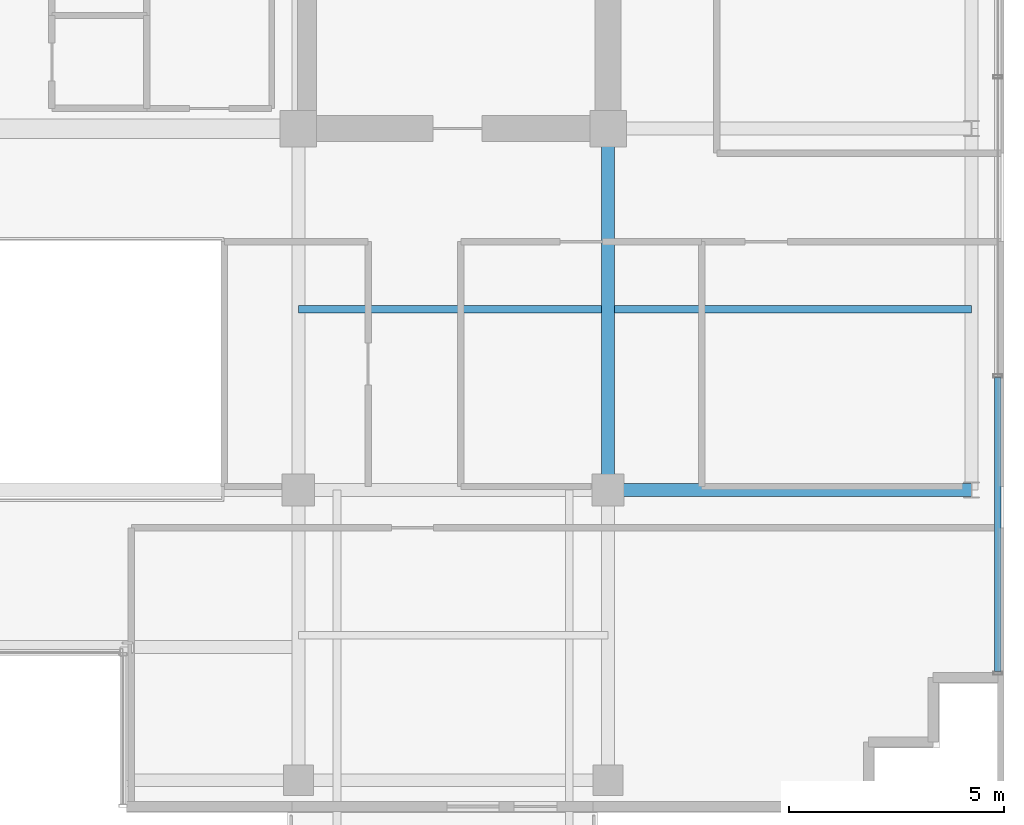
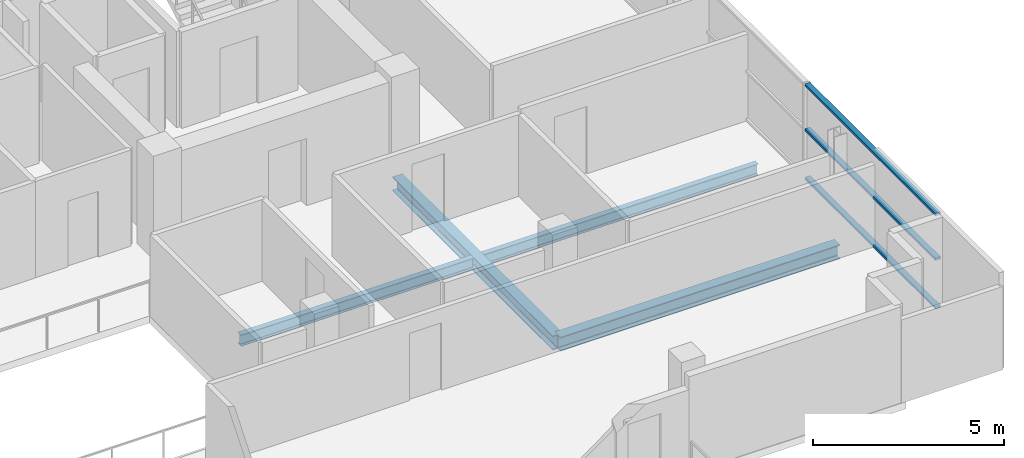
# One storey, part 8 of 21: 4 beams, 3 members, 1 element without a shape of its own.
"""IFC4 building model written with IfcOpenShell, lengths in metres."""

import ifcopenshell
import ifcopenshell.guid

model = None  # the IFC model being written
_history = None  # IfcOwnerHistory: only IFC2X3 demands one
_inside = {}  # id of a spatial element -> (the spatial element, [elements in it])
_under = {}  # id of a project, library or spatial element -> (it, [spatial elements below it])
_declared = {}  # id of a project -> (the project, [libraries it declares])
_typed = {}  # id of a type object -> (the type object, [elements of that type])
_made_of = {}  # id of a material, layer set ... -> (it, [elements and type objects made of it])


def new_model(schema):
    """Start an empty IFC model of exactly this schema.

    Asked for "IFC4X3", IfcOpenShell would pick the latest addendum, in which some entities
    have other attributes; the version numbers below select the first issue.
    IFC2X3 requires an IfcOwnerHistory on every rooted entity: one is made here for all.
    """
    global model, _history
    if schema == "IFC4X3":
        model = ifcopenshell.file(schema_version=(4, 3, 0, 0))
    else:
        model = ifcopenshell.file(schema=schema)
    _inside.clear()
    _under.clear()
    _declared.clear()
    _typed.clear()
    _made_of.clear()
    _history = None
    if model.schema == "IFC2X3":
        org = make("IfcOrganization", Name="unknown")
        user = make(
            "IfcPersonAndOrganization",
            ThePerson=make("IfcPerson", FamilyName="unknown"),
            TheOrganization=org,
        )
        app = make(
            "IfcApplication",
            ApplicationDeveloper=org,
            Version="unknown",
            ApplicationFullName="unknown",
            ApplicationIdentifier="unknown",
        )
        _history = make(
            "IfcOwnerHistory",
            OwningUser=user,
            OwningApplication=app,
            ChangeAction="ADDED",
            CreationDate=0,
        )
    return model


def make(cls, **values):
    """One entity of the class cls with the attributes given. An attribute that is None is left unset."""
    return model.create_entity(
        cls, **{name: value for name, value in values.items() if value is not None}
    )


def rooted(cls, **values):
    """An entity with a GlobalId (a new one), such as an element, a storey or a relation."""
    return make(cls, GlobalId=ifcopenshell.guid.new(), OwnerHistory=_history, **values)


def si_unit(unit_type, name, prefix=None):
    """IfcSIUnit, for example si_unit("LENGTHUNIT", "METRE", prefix="MILLI")."""
    return make("IfcSIUnit", UnitType=unit_type, Prefix=prefix, Name=name)


def assignment(units):
    """IfcUnitAssignment: the units of a project."""
    return None if units is None else make("IfcUnitAssignment", Units=units)


def point(xyz):
    """IfcCartesianPoint."""
    return None if xyz is None else make("IfcCartesianPoint", Coordinates=xyz)


def direction(xyz):
    """IfcDirection."""
    return None if xyz is None else make("IfcDirection", DirectionRatios=xyz)


def frame(location, z_axis=None, x_axis=None):
    """IfcAxis2Placement3D, a coordinate frame: its origin and axes. An axis left out is left unset."""
    return make(
        "IfcAxis2Placement3D",
        Location=point(location),
        Axis=direction(z_axis),
        RefDirection=direction(x_axis),
    )


def frame_2d(location, x_axis=None):
    """IfcAxis2Placement2D, a coordinate frame in the plane: its origin and x axis."""
    return make(
        "IfcAxis2Placement2D", Location=point(location), RefDirection=direction(x_axis)
    )


def origin():
    """The frame at (0, 0, 0) with its axes left unset."""
    return frame((0.0, 0.0, 0.0))


def origin_2d():
    """The frame at (0, 0) in the plane with its x axis left unset."""
    return frame_2d((0.0, 0.0))


def place(relative_to, where):
    """IfcLocalPlacement: puts the frame where relative to a parent placement (None: the world)."""
    return make(
        "IfcLocalPlacement", PlacementRelTo=relative_to, RelativePlacement=where
    )


def context(
    kind, dimensions, precision=None, world=None, true_north=None, identifier=None
):
    """IfcGeometricRepresentationContext, for example the 3D "Model" context."""
    return make(
        "IfcGeometricRepresentationContext",
        ContextIdentifier=identifier,
        ContextType=kind,
        CoordinateSpaceDimension=dimensions,
        Precision=precision,
        WorldCoordinateSystem=world,
        TrueNorth=true_north,
    )


def subcontext(parent, identifier, kind, view, scale=None):
    """IfcGeometricRepresentationSubContext, for example "Body" below "Model"."""
    return make(
        "IfcGeometricRepresentationSubContext",
        ContextIdentifier=identifier,
        ContextType=kind,
        ParentContext=parent,
        TargetScale=scale,
        TargetView=view,
    )


def project(units=None, contexts=None):
    """IfcProject with its units and contexts."""
    return rooted(
        "IfcProject",
        Name="project",
        RepresentationContexts=contexts,
        UnitsInContext=assignment(units),
    )


def spatial(cls, under=None, at=None, **own):
    """A site, building, storey or space (cls), placed at a placement, below another one or the project."""
    s = rooted(cls, ObjectPlacement=at, **own)
    if under is not None:
        _under.setdefault(under.id(), (under, []))[1].append(s)
    return s


def profile(cls, at=None, kind="AREA", **sizes):
    """A parametric profile (cls). Its sizes go by their IFC names, for example OverallWidth=200.0."""
    return make(cls, ProfileType=kind, Position=at, **sizes)


def hollow_rectangle(**sizes):
    """IfcRectangleHollowProfileDef."""
    return profile("IfcRectangleHollowProfileDef", **sizes)


def i_section(**sizes):
    """IfcIShapeProfileDef."""
    return profile("IfcIShapeProfileDef", **sizes)


def extrude(swept, where, along, depth):
    """IfcExtrudedAreaSolid: the profile swept, set in the frame where, extruded along a direction by depth."""
    return make(
        "IfcExtrudedAreaSolid",
        SweptArea=swept,
        Position=where,
        ExtrudedDirection=direction(along),
        Depth=depth,
    )


def shape(context_of_items, identifier, shape_type, items):
    """IfcShapeRepresentation: the items that make up one representation, for example the "Body"."""
    return make(
        "IfcShapeRepresentation",
        ContextOfItems=context_of_items,
        RepresentationIdentifier=identifier,
        RepresentationType=shape_type,
        Items=items,
    )


def source(mapping_origin, context_of_items, identifier, shape_type, items):
    """IfcRepresentationMap: a shape defined once, which mapped items show again and again."""
    return make(
        "IfcRepresentationMap",
        MappingOrigin=mapping_origin,
        MappedRepresentation=shape(context_of_items, identifier, shape_type, items),
    )


def transform(
    local_origin,
    x_axis=None,
    y_axis=None,
    z_axis=None,
    scale=None,
    scale2=None,
    scale3=None,
    uniform=True,
):
    """IfcCartesianTransformationOperator3D, or its non-uniform kind. x_axis, y_axis, z_axis: its Axis1, 2, 3."""
    if uniform:
        return make(
            "IfcCartesianTransformationOperator3D",
            Axis1=direction(x_axis),
            Axis2=direction(y_axis),
            LocalOrigin=point(local_origin),
            Scale=scale,
            Axis3=direction(z_axis),
        )
    return make(
        "IfcCartesianTransformationOperator3DnonUniform",
        Axis1=direction(x_axis),
        Axis2=direction(y_axis),
        LocalOrigin=point(local_origin),
        Scale=scale,
        Axis3=direction(z_axis),
        Scale2=scale2,
        Scale3=scale3,
    )


def mapped(mapping_source, mapping_target):
    """IfcMappedItem: shows the shape of a source again, moved by a transform."""
    return make(
        "IfcMappedItem", MappingSource=mapping_source, MappingTarget=mapping_target
    )


def material(Name=None, Category=None):
    """IfcMaterial."""
    return make("IfcMaterial", Name=Name, Category=Category)


def layer(
    of_material, thickness, ventilated=None, Name=None, Category=None, Priority=None
):
    """IfcMaterialLayer: one layer of a wall or slab, of a material (None: an air gap)."""
    return make(
        "IfcMaterialLayer",
        Material=of_material,
        LayerThickness=thickness,
        IsVentilated=ventilated,
        Name=Name,
        Category=Category,
        Priority=Priority,
    )


def layer_set(layers, Name=None):
    """IfcMaterialLayerSet."""
    return make("IfcMaterialLayerSet", MaterialLayers=layers, LayerSetName=Name)


def material_profile(
    of_material, cross_section, Name=None, Category=None, Priority=None
):
    """IfcMaterialProfile: a cross section and its material."""
    return make(
        "IfcMaterialProfile",
        Name=Name,
        Material=of_material,
        Profile=cross_section,
        Priority=Priority,
        Category=Category,
    )


def profile_set(profiles, Name=None, composite=None):
    """IfcMaterialProfileSet."""
    return make(
        "IfcMaterialProfileSet",
        Name=Name,
        MaterialProfiles=profiles,
        CompositeProfile=composite,
    )


def made_of(thing, what):
    """Note that an element or type object is made of a material, layer set ...; save() writes the relation."""
    if what is not None:
        _made_of.setdefault(what.id(), (what, []))[1].append(thing)
    return thing


def type_object(cls, material=None, **own):
    """A type object (cls), such as IfcWallType, which elements share."""
    return made_of(rooted(cls, **own), material)


def element(
    cls,
    number,
    at=None,
    inside=None,
    cuts=None,
    type_object=None,
    material=None,
    context=None,
    identifier="Body",
    shape_type=None,
    held_by="IfcProductDefinitionShape",
    body=None,
    shapes=None,
    **own,
):
    """One element of the class cls, such as IfcWall. Its Tag is "e" and its number.

    at: its placement. inside: the storey or other place that contains it. cuts: it is an
    opening in that element (IfcRelVoidsElement). A single representation is given by context,
    identifier, shape_type and body (its items); several are given by shapes. held_by: the class
    of the entity that holds the representations. save() writes the other relations.
    """
    e = rooted(cls, Tag="e%d" % number, ObjectPlacement=at, **own)
    if body is not None:
        shapes = [shape(context, identifier, shape_type, body)]
    if shapes is not None:
        e.Representation = make(held_by, Representations=shapes)
    if inside is not None:
        _inside.setdefault(inside.id(), (inside, []))[1].append(e)
    if cuts is not None:
        rooted(
            "IfcRelVoidsElement", RelatingBuildingElement=cuts, RelatedOpeningElement=e
        )
    if type_object is not None:
        _typed.setdefault(type_object.id(), (type_object, []))[1].append(e)
    return made_of(e, material)


def aggregate(whole, parts):
    """IfcRelAggregates: a whole, such as a stair, and the parts it consists of."""
    return rooted("IfcRelAggregates", RelatingObject=whole, RelatedObjects=parts)


def save(model, path):
    """Write the relations noted so far, then the file.

    IfcRelAggregates (storeys below a building ...), IfcRelContainedInSpatialStructure (elements
    in a storey), IfcRelDefinesByType, IfcRelAssociatesMaterial and IfcRelDeclares: one each for
    every whole, place, type object, material and project.
    """
    for whole, parts in _under.values():
        aggregate(whole, parts)
    for where, things in _inside.values():
        rooted(
            "IfcRelContainedInSpatialStructure",
            RelatedElements=things,
            RelatingStructure=where,
        )
    for kind, things in _typed.values():
        rooted("IfcRelDefinesByType", RelatedObjects=things, RelatingType=kind)
    for what, things in _made_of.values():
        rooted("IfcRelAssociatesMaterial", RelatedObjects=things, RelatingMaterial=what)
    for by, libraries in _declared.values():
        rooted("IfcRelDeclares", RelatingContext=by, RelatedDefinitions=libraries)
    model.write(path)


model = new_model("IFC4")

# Units and contexts
model_context = context("Model", 3, precision=1e-05, world=origin(), true_north=direction((0.0, 1.0)))
body_context = subcontext(model_context, "Body", "Model", "MODEL_VIEW")
ifc_project = project(units=[si_unit("LENGTHUNIT", "METRE"), si_unit("AREAUNIT", "SQUARE_METRE"), si_unit("VOLUMEUNIT", "CUBIC_METRE"), si_unit("PLANEANGLEUNIT", "RADIAN"), si_unit("MASSUNIT", "GRAM", prefix="KILO")], contexts=[model_context])

# Site, building, storey
site_placement = place(None, origin())
site = spatial("IfcSite", under=ifc_project, at=site_placement, CompositionType="ELEMENT")
building_placement = place(site_placement, origin())
building = spatial("IfcBuilding", under=site, at=building_placement, Name="Zarnakvel Exchange Tower", CompositionType="ELEMENT")
storey_placement = place(building_placement, frame((0.0, 0.0, 241.89990234375)))
storey = spatial("IfcBuildingStorey", under=building, at=storey_placement, Name="L68", CompositionType="ELEMENT", Elevation=241.89990234375)

# Beams
ifc_material_1 = material(Name="Steel S355", Category="steel")
ifc_material_profile_1 = material_profile(ifc_material_1, i_section(OverallWidth=0.169921875, OverallDepth=0.360107421875, WebThickness=0.008056640625, FlangeThickness=0.0126953125, FilletRadius=0.01806640625, at=origin_2d()))
ifc_profile_set_1 = profile_set([ifc_material_profile_1], Name="Steel S355")
beam_type_1 = type_object("IfcBeamType", Name="B-07", PredefinedType="JOIST", material=ifc_profile_set_1)
beam_1_placement = place(storey_placement, frame((7.199951171875, -5.39990234375, -0.40478515625), z_axis=(1.0, 0.0, 0.0), x_axis=(0.0, 1.0, 0.0)))
element("IfcBeam", 1, at=beam_1_placement, inside=storey, type_object=beam_type_1, Name="L68 Composite Floor Secondary Joist", PredefinedType="JOIST", context=body_context, shape_type="SweptSolid", body=[
    extrude(i_section(OverallWidth=0.169921875, OverallDepth=0.360107421875, WebThickness=0.008056640625, FlangeThickness=0.0126953125, FilletRadius=0.01806640625, at=origin_2d()), origin(), (0.0, 0.0, 1.0), 7.050048828125),
])
beam_2_placement = place(storey_placement, frame((14.550048828125, -5.39990234375, -0.40478515625), z_axis=(1.0, 0.0, 0.0), x_axis=(0.0, 1.0, 0.0)))
element("IfcBeam", 2, at=beam_2_placement, inside=storey, type_object=beam_type_1, Name="L68 Composite Floor Secondary Joist", PredefinedType="JOIST", context=body_context, shape_type="SweptSolid", body=[
    extrude(i_section(OverallWidth=0.169921875, OverallDepth=0.360107421875, WebThickness=0.008056640625, FlangeThickness=0.0126953125, FilletRadius=0.01806640625, at=origin_2d()), origin(), (0.0, 0.0, 1.0), 8.300048828125),
])
ifc_material_profile_2 = material_profile(ifc_material_1, i_section(OverallWidth=0.300048828125, OverallDepth=0.449951171875, WebThickness=0.013916015625, FlangeThickness=0.02587890625, FilletRadius=0.027099609375, at=origin_2d()))
ifc_profile_set_2 = profile_set([ifc_material_profile_2], Name="Steel S355")
beam_type_2 = type_object("IfcBeamType", Name="G-07", PredefinedType="BEAM", material=ifc_profile_set_2)
beam_3_placement = place(storey_placement, frame((14.39990234375, -9.60009765625, -0.449951171875), z_axis=(1.0, 0.0, 0.0), x_axis=(0.0, 1.0, 0.0)))
element("IfcBeam", 3, at=beam_3_placement, inside=storey, type_object=beam_type_2, Name="L68 Tower E-W Frame Beam", PredefinedType="BEAM", context=body_context, shape_type="SweptSolid", body=[
    extrude(i_section(OverallWidth=0.300048828125, OverallDepth=0.449951171875, WebThickness=0.013916015625, FlangeThickness=0.02587890625, FilletRadius=0.027099609375, at=origin_2d()), origin(), (0.0, 0.0, 1.0), 8.4501953125),
])
beam_4_placement = place(storey_placement, frame((14.39990234375, -9.60009765625, -0.449951171875), z_axis=(0.0, 1.0, 0.0), x_axis=(-1.0, 0.0, 0.0)))
element("IfcBeam", 4, at=beam_4_placement, inside=storey, type_object=beam_type_2, Name="L68 Tower N-S Frame Beam", PredefinedType="BEAM", context=body_context, shape_type="SweptSolid", body=[
    extrude(i_section(OverallWidth=0.300048828125, OverallDepth=0.449951171875, WebThickness=0.013916015625, FlangeThickness=0.02587890625, FilletRadius=0.027099609375, at=origin_2d()), origin(), (0.0, 0.0, 1.0), 8.400146484375),
])

# Curtain wall, members
ifc_material_2 = material(Name="Architectural Bronze Anodised Aluminium", Category="aluminium")
ifc_layer = layer(ifc_material_2, 0.199951171875)
ifc_layer_set = layer_set([ifc_layer], Name="Architectural Bronze Anodised Aluminium")
curtain_wall_type = type_object("IfcCurtainWallType", Name="CW-04", PredefinedType="NOTDEFINED", material=ifc_layer_set)
curtain_wall_placement = place(storey_placement, origin())
curtain_wall = element("IfcCurtainWall", 5, at=curtain_wall_placement, inside=storey, type_object=curtain_wall_type, Name="L68 Curtain Wall CW-L68-E1 (CW-04)", PredefinedType="NOTDEFINED")
ifc_material_profile_3 = material_profile(ifc_material_2, hollow_rectangle(XDim=0.159912109375, YDim=0.074951171875, WallThickness=0.00390625, at=origin_2d()))
ifc_profile_set_3 = profile_set([ifc_material_profile_3], Name="Architectural Bronze Anodised Aluminium")
member_type = type_object("IfcMemberType", Name="CWT-04", PredefinedType="USERDEFINED", material=ifc_profile_set_3)
shared_shape = source(origin(), body_context, "Body", "SweptSolid", [
    extrude(hollow_rectangle(XDim=0.159912109375, YDim=0.074951171875, WallThickness=0.00390625, at=origin_2d()), origin(), (0.0, 0.0, 1.0), 6.83740234375),
])
member_1_placement = place(storey_placement, frame((23.4599609375, -13.824951171875, 0.03759765625), z_axis=(0.0, 1.0, 0.0), x_axis=(-1.0, 0.0, 0.0)))
member_1 = element("IfcMember", 6, at=member_1_placement, type_object=member_type, Name="CW-04 transom 1.1", ObjectType="TRANSOM", PredefinedType="USERDEFINED", context=body_context, shape_type="MappedRepresentation", body=[
    mapped(shared_shape, transform((0.0, 0.0, 0.0), x_axis=(1.0, 0.0, 0.0), y_axis=(0.0, 1.0, 0.0), z_axis=(0.0, 0.0, 1.0), scale=1.0)),
])
member_2_placement = place(storey_placement, frame((23.4599609375, -13.824951171875, 1.588623046875), z_axis=(0.0, 1.0, 0.0), x_axis=(-1.0, 0.0, 0.0)))
member_2 = element("IfcMember", 7, at=member_2_placement, type_object=member_type, Name="CW-04 transom 1.2", ObjectType="TRANSOM", PredefinedType="USERDEFINED", context=body_context, shape_type="MappedRepresentation", body=[
    mapped(shared_shape, transform((0.0, 0.0, 0.0), x_axis=(1.0, 0.0, 0.0), y_axis=(0.0, 1.0, 0.0), z_axis=(0.0, 0.0, 1.0), scale=1.0)),
])
member_3_placement = place(storey_placement, frame((23.4599609375, -13.824951171875, 3.017578125), z_axis=(0.0, 1.0, 0.0), x_axis=(-1.0, 0.0, 0.0)))
member_3 = element("IfcMember", 8, at=member_3_placement, type_object=member_type, Name="CW-04 transom 1.3", ObjectType="TRANSOM", PredefinedType="USERDEFINED", context=body_context, shape_type="MappedRepresentation", body=[
    mapped(shared_shape, transform((0.0, 0.0, 0.0), x_axis=(1.0, 0.0, 0.0), y_axis=(0.0, 1.0, 0.0), z_axis=(0.0, 0.0, 1.0), scale=1.0)),
])
aggregate(curtain_wall, [member_1, member_2, member_3])

save(model, "model.ifc")
